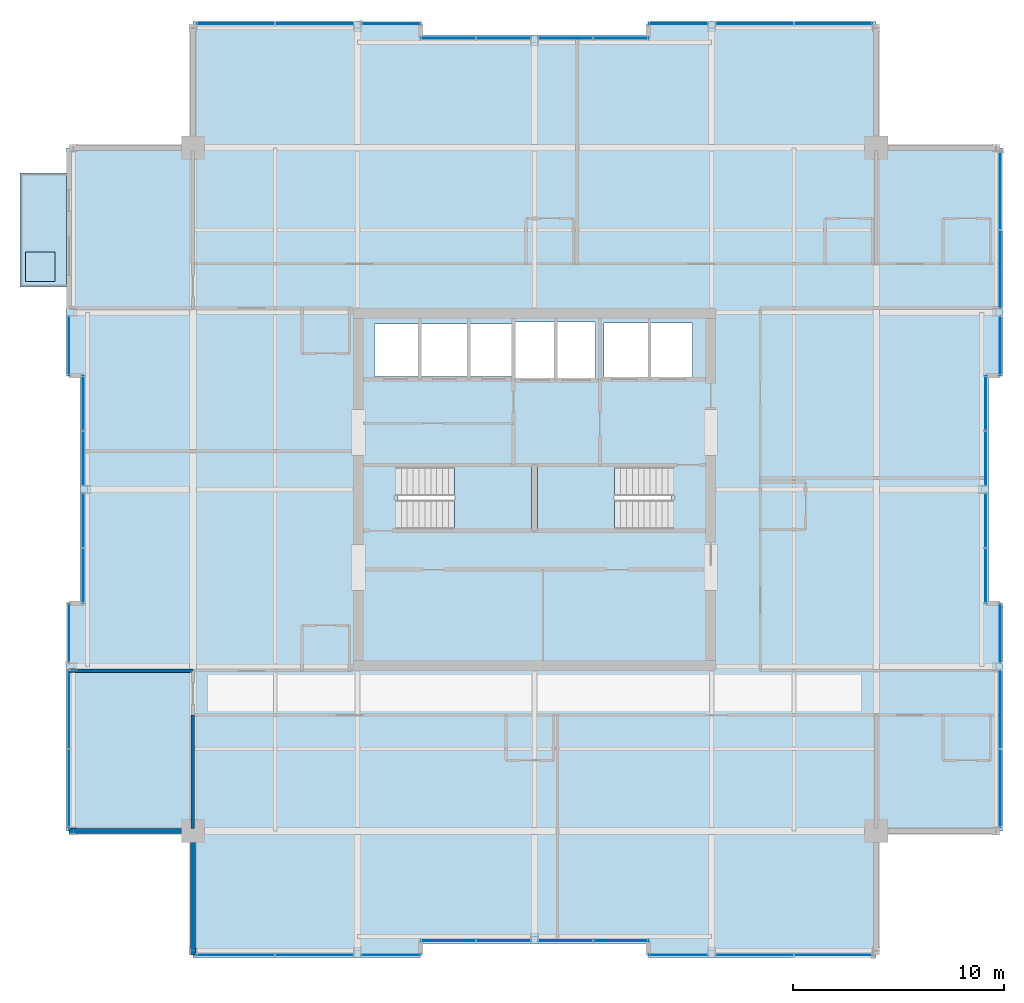
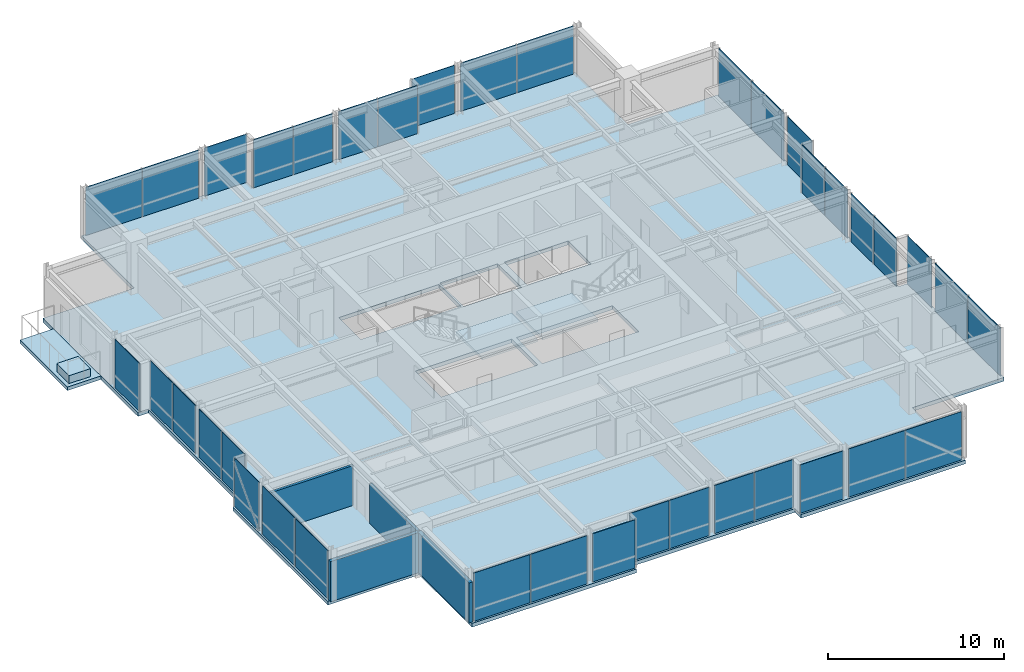
# One storey, part 27 of 33: 38 plates, 5 slabs, 4 walls, 25 elements without a shape of their own.
"""IFC4 building model written with IfcOpenShell, lengths in metres."""

from ifc_helpers import new_model, si_unit, direction, frame, frame_2d, origin, origin_2d, place, context, subcontext, project, spatial, polyline, rectangle, outline, extrude, material, layer, layer_set, type_object, element, aggregate, save


model = new_model("IFC4")

# Units and contexts
model_context = context("Model", 3, precision=1e-05, world=origin(), true_north=direction((0.0, 1.0)))
body_context = subcontext(model_context, "Body", "Model", "MODEL_VIEW")
ifc_project = project(units=[si_unit("LENGTHUNIT", "METRE"), si_unit("AREAUNIT", "SQUARE_METRE"), si_unit("VOLUMEUNIT", "CUBIC_METRE"), si_unit("PLANEANGLEUNIT", "RADIAN"), si_unit("MASSUNIT", "GRAM", prefix="KILO")], contexts=[model_context])

# Site, building, storey
site_placement = place(None, origin())
site = spatial("IfcSite", under=ifc_project, at=site_placement, CompositionType="ELEMENT")
building_placement = place(site_placement, origin())
building = spatial("IfcBuilding", under=site, at=building_placement, Name="Drelvath Grand Hotel", CompositionType="ELEMENT")
storey_placement = place(building_placement, frame((0.0, 0.0, 275.949951171875)))
storey = spatial("IfcBuildingStorey", under=building, at=storey_placement, Name="L72", CompositionType="ELEMENT", Elevation=275.949951171875)

# Slabs
ifc_material_1 = material(Name="Concrete f'c 40 MPa", Category="concrete")
ifc_layer_1 = layer(ifc_material_1, 0.239990234375)
ifc_layer_set_1 = layer_set([ifc_layer_1], Name="Concrete f'c 40 MPa")
slab_type_1 = type_object("IfcSlabType", Name="Cantilevered Tree Balcony Slab 240", PredefinedType="FLOOR", material=ifc_layer_set_1)
slab_1_placement = place(storey_placement, frame((0.0, 0.0, -0.239990234375)))
element("IfcSlab", 1, at=slab_1_placement, inside=storey, type_object=slab_type_1, Name="L72 Cantilevered Tree Balcony Slab 1", PredefinedType="FLOOR", context=body_context, shape_type="SweptSolid", body=[
    extrude(outline(polyline([(-24.39990234375, 36.60009765625), (-22.199951171875, 36.60009765625), (-22.199951171875, 42.0), (-24.39990234375, 42.0), (-24.39990234375, 36.60009765625)])), origin(), (0.0, 0.0, 1.0), 0.239990234375),
])
ifc_layer_2 = layer(ifc_material_1, 0.260009765625)
ifc_layer_set_2 = layer_set([ifc_layer_2], Name="Concrete f'c 40 MPa")
slab_type_2 = type_object("IfcSlabType", Name="Composite RC Floor Slab 260", PredefinedType="FLOOR", material=ifc_layer_set_2)
slab_2_placement = place(storey_placement, frame((0.0, 0.0, -0.260009765625)))
element("IfcSlab", 2, at=slab_2_placement, inside=storey, type_object=slab_type_2, Name="L72 Structural Floor Slab", PredefinedType="FLOOR", context=body_context, shape_type="SweptSolid", body=[
    extrude(outline(polyline([(-16.199951171875, 4.800048828125), (-5.39990234375, 4.800048828125), (-5.39990234375, 5.47998046875), (5.39990234375, 5.47998046875), (5.39990234375, 4.800048828125), (16.199951171875, 4.800048828125), (16.199951171875, 10.800048828125), (22.199951171875, 10.800048828125), (22.199951171875, 21.60009765625), (21.52001953125, 21.60009765625), (21.52001953125, 32.39990234375), (22.199951171875, 32.39990234375), (22.199951171875, 43.199951171875), (16.199951171875, 43.199951171875), (16.199951171875, 49.199951171875), (5.39990234375, 49.199951171875), (5.39990234375, 48.52001953125), (-5.39990234375, 48.52001953125), (-5.39990234375, 49.199951171875), (-16.199951171875, 49.199951171875), (-16.199951171875, 43.199951171875), (-22.199951171875, 43.199951171875), (-22.199951171875, 32.39990234375), (-21.52001953125, 32.39990234375), (-21.52001953125, 21.60009765625), (-22.199951171875, 21.60009765625), (-22.199951171875, 10.800048828125), (-16.199951171875, 10.800048828125), (-16.199951171875, 4.800048828125)]), holes=[polyline([(-6.47998046875, 25.1201171875), (-6.47998046875, 28.080078125), (-0.14990234375, 28.080078125), (-0.14990234375, 25.1201171875), (-6.47998046875, 25.1201171875)]), polyline([(0.14990234375, 25.1201171875), (0.14990234375, 28.080078125), (6.47998046875, 28.080078125), (6.47998046875, 25.1201171875), (0.14990234375, 25.1201171875)]), polyline([(-7.60009765625, 32.35009765625), (-7.60009765625, 34.85009765625), (-1.02001953125, 34.85009765625), (-1.02001953125, 32.35009765625), (-7.60009765625, 32.35009765625)]), polyline([(-0.89990234375, 32.25), (-0.89990234375, 34.949951171875), (2.89990234375, 34.949951171875), (2.89990234375, 32.25), (-0.89990234375, 32.25)]), polyline([(3.300048828125, 32.300048828125), (3.300048828125, 34.89990234375), (7.5, 34.89990234375), (7.5, 32.300048828125), (3.300048828125, 32.300048828125)])]), origin(), (0.0, 0.0, 1.0), 0.260009765625),
])

# Stair, slab
ifc_material_2 = material(Name="Concrete C40/50", Category="concrete")
stair_type = type_object("IfcStairType", Name="Dogleg Exit Stair W1400-R165.9", PredefinedType="HALF_TURN_STAIR", material=ifc_material_2)
stair_1_placement = place(storey_placement, origin())
stair_1 = element("IfcStair", 3, at=stair_1_placement, inside=storey, type_object=stair_type, Name="L72 Core Exit Stair ST-1", PredefinedType="HALF_TURN_STAIR")
ifc_layer_3 = layer(ifc_material_2, 0.199951171875)
ifc_layer_set_3 = layer_set([ifc_layer_3], Name="Concrete C40/50")
slab_type_3 = type_object("IfcSlabType", Name="Concrete Stair Landing Slab 200", PredefinedType="LANDING", material=ifc_layer_set_3)
slab_3_placement = place(storey_placement, frame((0.0, 0.0, 1.625)))
slab_3 = element("IfcSlab", 4, at=slab_3_placement, type_object=slab_type_3, Name="ST-1 landing 1", PredefinedType="LANDING", context=body_context, shape_type="SweptSolid", body=[
    extrude(outline(polyline([(-3.800048828125, 25.1201171875), (-0.14990234375, 25.1201171875), (-0.14990234375, 28.080078125), (-3.800048828125, 28.080078125), (-3.800048828125, 25.1201171875)])), origin(), (0.0, 0.0, 1.0), 0.199951171875),
])
aggregate(stair_1, [slab_3])

stair_2_placement = place(storey_placement, origin())
stair_2 = element("IfcStair", 5, at=stair_2_placement, inside=storey, type_object=stair_type, Name="L72 Core Exit Stair ST-2", PredefinedType="HALF_TURN_STAIR")
slab_4_placement = place(storey_placement, frame((0.0, 0.0, 1.625)))
slab_4 = element("IfcSlab", 6, at=slab_4_placement, type_object=slab_type_3, Name="ST-2 landing 1", PredefinedType="LANDING", context=body_context, shape_type="SweptSolid", body=[
    extrude(outline(polyline([(3.800048828125, 28.080078125), (0.14990234375, 28.080078125), (0.14990234375, 25.1201171875), (3.800048828125, 25.1201171875), (3.800048828125, 28.080078125)])), origin(), (0.0, 0.0, 1.0), 0.199951171875),
])
aggregate(stair_2, [slab_4])

# Curtain wall, plates
ifc_material_3 = material(Name="Platinum-Mist Anodised Aluminium Frame", Category="aluminium")
ifc_layer_4 = layer(ifc_material_3, 0.199951171875)
ifc_layer_set_4 = layer_set([ifc_layer_4], Name="Platinum-Mist Anodised Aluminium Frame")
curtain_wall_type = type_object("IfcCurtainWallType", Name="Stick Curtain Wall CW-05 Platinum Mist High-Rise", PredefinedType="NOTDEFINED", material=ifc_layer_set_4)
curtain_wall_1_placement = place(storey_placement, origin())
curtain_wall_1 = element("IfcCurtainWall", 7, at=curtain_wall_1_placement, inside=storey, type_object=curtain_wall_type, Name="L72 CW-05 Curtain Wall CW05-L72-WS1", PredefinedType="NOTDEFINED")
ifc_material_4 = material(Name="Low-E Triple Silver High-Altitude Glass", Category="glass")
ifc_layer_5 = layer(ifc_material_4, 0.035888671875)
ifc_layer_set_5 = layer_set([ifc_layer_5], Name="Low-E Triple Silver High-Altitude Glass")
plate_type = type_object("IfcPlateType", Name="Curtain Wall Vision Panel CW-05 36mm", PredefinedType="CURTAIN_PANEL", material=ifc_layer_set_5)
plate_1_placement = place(storey_placement, frame((-22.080078125, 12.835205078125, 0.02001953125), z_axis=(0.0, 0.0, 1.0), x_axis=(0.0, 1.0, 0.0)))
plate_1 = element("IfcPlate", 8, at=plate_1_placement, type_object=plate_type, Name="CW05-L72-WS1 Glazed Panel 1", PredefinedType="CURTAIN_PANEL", context=body_context, shape_type="SweptSolid", body=[
    extrude(rectangle(XDim=3.68994140625, YDim=0.035888671875, at=origin_2d()), origin(), (0.0, 0.0, 1.0), 3.35009765625),
])
plate_2_placement = place(storey_placement, frame((-22.080078125, 16.56494140625, 0.02001953125), z_axis=(0.0, 0.0, 1.0), x_axis=(0.0, 1.0, 0.0)))
plate_2 = element("IfcPlate", 9, at=plate_2_placement, type_object=plate_type, Name="CW05-L72-WS1 Glazed Panel 2", PredefinedType="CURTAIN_PANEL", context=body_context, shape_type="SweptSolid", body=[
    extrude(rectangle(XDim=3.68994140625, YDim=0.035888671875, at=origin_2d()), origin(), (0.0, 0.0, 1.0), 3.35009765625),
])
aggregate(curtain_wall_1, [plate_1, plate_2])

# Curtain wall, plate
curtain_wall_2_placement = place(storey_placement, origin())
curtain_wall_2 = element("IfcCurtainWall", 10, at=curtain_wall_2_placement, inside=storey, type_object=curtain_wall_type, Name="L72 CW-05 Curtain Wall CW05-L72-WS2", PredefinedType="NOTDEFINED")
plate_3_placement = place(storey_placement, frame((-22.080078125, 20.18505859375, 0.02001953125), z_axis=(0.0, 0.0, 1.0), x_axis=(0.0, 1.0, 0.0)))
plate_3 = element("IfcPlate", 11, at=plate_3_placement, type_object=plate_type, Name="CW05-L72-WS2 Glazed Panel 1", PredefinedType="CURTAIN_PANEL", context=body_context, shape_type="SweptSolid", body=[
    extrude(rectangle(XDim=2.789794921875, YDim=0.035888671875, at=origin_2d()), origin(), (0.0, 0.0, 1.0), 3.35009765625),
])
aggregate(curtain_wall_2, [plate_3])

# Curtain wall, plates
curtain_wall_3_placement = place(storey_placement, origin())
curtain_wall_3 = element("IfcCurtainWall", 12, at=curtain_wall_3_placement, inside=storey, type_object=curtain_wall_type, Name="L72 CW-05 Curtain Wall CW05-L72-WM1", PredefinedType="NOTDEFINED")
plate_4_placement = place(storey_placement, frame((-21.39990234375, 22.907470703125, 0.02001953125), z_axis=(0.0, 0.0, 1.0), x_axis=(0.0, 1.0, 0.0)))
plate_4 = element("IfcPlate", 13, at=plate_4_placement, type_object=plate_type, Name="CW05-L72-WM1 Glazed Panel 1", PredefinedType="CURTAIN_PANEL", context=body_context, shape_type="SweptSolid", body=[
    extrude(rectangle(XDim=2.574951171875, YDim=0.035888671875, at=origin_2d()), origin(), (0.0, 0.0, 1.0), 3.35009765625),
])
plate_5_placement = place(storey_placement, frame((-21.39990234375, 25.5224609375, 0.02001953125), z_axis=(0.0, 0.0, 1.0), x_axis=(0.0, 1.0, 0.0)))
plate_5 = element("IfcPlate", 14, at=plate_5_placement, type_object=plate_type, Name="CW05-L72-WM1 Glazed Panel 2", PredefinedType="CURTAIN_PANEL", context=body_context, shape_type="SweptSolid", body=[
    extrude(rectangle(XDim=2.574951171875, YDim=0.035888671875, at=origin_2d()), origin(), (0.0, 0.0, 1.0), 3.35009765625),
])
aggregate(curtain_wall_3, [plate_4, plate_5])

curtain_wall_4_placement = place(storey_placement, origin())
curtain_wall_4 = element("IfcCurtainWall", 15, at=curtain_wall_4_placement, inside=storey, type_object=curtain_wall_type, Name="L72 CW-05 Curtain Wall CW05-L72-WM2", PredefinedType="NOTDEFINED")
plate_6_placement = place(storey_placement, frame((-21.39990234375, 28.4775390625, 0.02001953125), z_axis=(0.0, 0.0, 1.0), x_axis=(0.0, 1.0, 0.0)))
plate_6 = element("IfcPlate", 16, at=plate_6_placement, type_object=plate_type, Name="CW05-L72-WM2 Glazed Panel 1", PredefinedType="CURTAIN_PANEL", context=body_context, shape_type="SweptSolid", body=[
    extrude(rectangle(XDim=2.574951171875, YDim=0.035888671875, at=origin_2d()), origin(), (0.0, 0.0, 1.0), 3.35009765625),
])
plate_7_placement = place(storey_placement, frame((-21.39990234375, 31.092529296875, 0.02001953125), z_axis=(0.0, 0.0, 1.0), x_axis=(0.0, 1.0, 0.0)))
plate_7 = element("IfcPlate", 17, at=plate_7_placement, type_object=plate_type, Name="CW05-L72-WM2 Glazed Panel 2", PredefinedType="CURTAIN_PANEL", context=body_context, shape_type="SweptSolid", body=[
    extrude(rectangle(XDim=2.574951171875, YDim=0.035888671875, at=origin_2d()), origin(), (0.0, 0.0, 1.0), 3.35009765625),
])
aggregate(curtain_wall_4, [plate_6, plate_7])

# Curtain wall, plate
curtain_wall_5_placement = place(storey_placement, origin())
curtain_wall_5 = element("IfcCurtainWall", 18, at=curtain_wall_5_placement, inside=storey, type_object=curtain_wall_type, Name="L72 CW-05 Curtain Wall CW05-L72-WN1", PredefinedType="NOTDEFINED")
plate_8_placement = place(storey_placement, frame((-22.080078125, 33.81494140625, 0.02001953125), z_axis=(0.0, 0.0, 1.0), x_axis=(0.0, 1.0, 0.0)))
plate_8 = element("IfcPlate", 19, at=plate_8_placement, type_object=plate_type, Name="CW05-L72-WN1 Glazed Panel 1", PredefinedType="CURTAIN_PANEL", context=body_context, shape_type="SweptSolid", body=[
    extrude(rectangle(XDim=2.7900390625, YDim=0.035888671875, at=origin_2d()), origin(), (0.0, 0.0, 1.0), 3.35009765625),
])
aggregate(curtain_wall_5, [plate_8])

curtain_wall_6_placement = place(storey_placement, origin())
curtain_wall_6 = element("IfcCurtainWall", 20, at=curtain_wall_6_placement, inside=storey, type_object=curtain_wall_type, Name="L72 CW-05 Curtain Wall CW05-L72-EN1", PredefinedType="NOTDEFINED")
plate_9_placement = place(storey_placement, frame((22.080078125, 33.81494140625, 0.02001953125), z_axis=(0.0, 0.0, 1.0), x_axis=(0.0, -1.0, 0.0)))
plate_9 = element("IfcPlate", 21, at=plate_9_placement, type_object=plate_type, Name="CW05-L72-EN1 Glazed Panel 1", PredefinedType="CURTAIN_PANEL", context=body_context, shape_type="SweptSolid", body=[
    extrude(rectangle(XDim=2.7900390625, YDim=0.035888671875, at=origin_2d()), origin(), (0.0, 0.0, 1.0), 3.35009765625),
])
aggregate(curtain_wall_6, [plate_9])

# Curtain wall, plates
curtain_wall_7_placement = place(storey_placement, origin())
curtain_wall_7 = element("IfcCurtainWall", 22, at=curtain_wall_7_placement, inside=storey, type_object=curtain_wall_type, Name="L72 CW-05 Curtain Wall CW05-L72-EN2", PredefinedType="NOTDEFINED")
plate_10_placement = place(storey_placement, frame((22.080078125, 41.1650390625, 0.02001953125), z_axis=(0.0, 0.0, 1.0), x_axis=(0.0, -1.0, 0.0)))
plate_10 = element("IfcPlate", 23, at=plate_10_placement, type_object=plate_type, Name="CW05-L72-EN2 Glazed Panel 1", PredefinedType="CURTAIN_PANEL", context=body_context, shape_type="SweptSolid", body=[
    extrude(rectangle(XDim=3.68994140625, YDim=0.035888671875, at=origin_2d()), origin(), (0.0, 0.0, 1.0), 3.35009765625),
])
plate_11_placement = place(storey_placement, frame((22.080078125, 37.43505859375, 0.02001953125), z_axis=(0.0, 0.0, 1.0), x_axis=(0.0, -1.0, 0.0)))
plate_11 = element("IfcPlate", 24, at=plate_11_placement, type_object=plate_type, Name="CW05-L72-EN2 Glazed Panel 2", PredefinedType="CURTAIN_PANEL", context=body_context, shape_type="SweptSolid", body=[
    extrude(rectangle(XDim=3.68994140625, YDim=0.035888671875, at=origin_2d()), origin(), (0.0, 0.0, 1.0), 3.35009765625),
])
aggregate(curtain_wall_7, [plate_10, plate_11])

curtain_wall_8_placement = place(storey_placement, origin())
curtain_wall_8 = element("IfcCurtainWall", 25, at=curtain_wall_8_placement, inside=storey, type_object=curtain_wall_type, Name="L72 CW-05 Curtain Wall CW05-L72-EM1", PredefinedType="NOTDEFINED")
plate_12_placement = place(storey_placement, frame((21.39990234375, 25.5224609375, 0.02001953125), z_axis=(0.0, 0.0, 1.0), x_axis=(0.0, -1.0, 0.0)))
plate_12 = element("IfcPlate", 26, at=plate_12_placement, type_object=plate_type, Name="CW05-L72-EM1 Glazed Panel 1", PredefinedType="CURTAIN_PANEL", context=body_context, shape_type="SweptSolid", body=[
    extrude(rectangle(XDim=2.574951171875, YDim=0.035888671875, at=origin_2d()), origin(), (0.0, 0.0, 1.0), 3.35009765625),
])
plate_13_placement = place(storey_placement, frame((21.39990234375, 22.907470703125, 0.02001953125), z_axis=(0.0, 0.0, 1.0), x_axis=(0.0, -1.0, 0.0)))
plate_13 = element("IfcPlate", 27, at=plate_13_placement, type_object=plate_type, Name="CW05-L72-EM1 Glazed Panel 2", PredefinedType="CURTAIN_PANEL", context=body_context, shape_type="SweptSolid", body=[
    extrude(rectangle(XDim=2.574951171875, YDim=0.035888671875, at=origin_2d()), origin(), (0.0, 0.0, 1.0), 3.35009765625),
])
aggregate(curtain_wall_8, [plate_12, plate_13])

curtain_wall_9_placement = place(storey_placement, origin())
curtain_wall_9 = element("IfcCurtainWall", 28, at=curtain_wall_9_placement, inside=storey, type_object=curtain_wall_type, Name="L72 CW-05 Curtain Wall CW05-L72-EM2", PredefinedType="NOTDEFINED")
plate_14_placement = place(storey_placement, frame((21.39990234375, 31.092529296875, 0.02001953125), z_axis=(0.0, 0.0, 1.0), x_axis=(0.0, -1.0, 0.0)))
plate_14 = element("IfcPlate", 29, at=plate_14_placement, type_object=plate_type, Name="CW05-L72-EM2 Glazed Panel 1", PredefinedType="CURTAIN_PANEL", context=body_context, shape_type="SweptSolid", body=[
    extrude(rectangle(XDim=2.574951171875, YDim=0.035888671875, at=origin_2d()), origin(), (0.0, 0.0, 1.0), 3.35009765625),
])
plate_15_placement = place(storey_placement, frame((21.39990234375, 28.4775390625, 0.02001953125), z_axis=(0.0, 0.0, 1.0), x_axis=(0.0, -1.0, 0.0)))
plate_15 = element("IfcPlate", 30, at=plate_15_placement, type_object=plate_type, Name="CW05-L72-EM2 Glazed Panel 2", PredefinedType="CURTAIN_PANEL", context=body_context, shape_type="SweptSolid", body=[
    extrude(rectangle(XDim=2.574951171875, YDim=0.035888671875, at=origin_2d()), origin(), (0.0, 0.0, 1.0), 3.35009765625),
])
aggregate(curtain_wall_9, [plate_14, plate_15])

curtain_wall_10_placement = place(storey_placement, origin())
curtain_wall_10 = element("IfcCurtainWall", 31, at=curtain_wall_10_placement, inside=storey, type_object=curtain_wall_type, Name="L72 CW-05 Curtain Wall CW05-L72-ES1", PredefinedType="NOTDEFINED")
plate_16_placement = place(storey_placement, frame((22.080078125, 16.56494140625, 0.02001953125), z_axis=(0.0, 0.0, 1.0), x_axis=(0.0, -1.0, 0.0)))
plate_16 = element("IfcPlate", 32, at=plate_16_placement, type_object=plate_type, Name="CW05-L72-ES1 Glazed Panel 1", PredefinedType="CURTAIN_PANEL", context=body_context, shape_type="SweptSolid", body=[
    extrude(rectangle(XDim=3.68994140625, YDim=0.035888671875, at=origin_2d()), origin(), (0.0, 0.0, 1.0), 3.35009765625),
])
plate_17_placement = place(storey_placement, frame((22.080078125, 12.835205078125, 0.02001953125), z_axis=(0.0, 0.0, 1.0), x_axis=(0.0, -1.0, 0.0)))
plate_17 = element("IfcPlate", 33, at=plate_17_placement, type_object=plate_type, Name="CW05-L72-ES1 Glazed Panel 2", PredefinedType="CURTAIN_PANEL", context=body_context, shape_type="SweptSolid", body=[
    extrude(rectangle(XDim=3.68994140625, YDim=0.035888671875, at=origin_2d()), origin(), (0.0, 0.0, 1.0), 3.35009765625),
])
aggregate(curtain_wall_10, [plate_16, plate_17])

# Curtain wall, plate
curtain_wall_11_placement = place(storey_placement, origin())
curtain_wall_11 = element("IfcCurtainWall", 34, at=curtain_wall_11_placement, inside=storey, type_object=curtain_wall_type, Name="L72 CW-05 Curtain Wall CW05-L72-ES2", PredefinedType="NOTDEFINED")
plate_18_placement = place(storey_placement, frame((22.080078125, 20.18505859375, 0.02001953125), z_axis=(0.0, 0.0, 1.0), x_axis=(0.0, -1.0, 0.0)))
plate_18 = element("IfcPlate", 35, at=plate_18_placement, type_object=plate_type, Name="CW05-L72-ES2 Glazed Panel 1", PredefinedType="CURTAIN_PANEL", context=body_context, shape_type="SweptSolid", body=[
    extrude(rectangle(XDim=2.789794921875, YDim=0.035888671875, at=origin_2d()), origin(), (0.0, 0.0, 1.0), 3.35009765625),
])
aggregate(curtain_wall_11, [plate_18])

# Curtain wall, plates
curtain_wall_12_placement = place(storey_placement, origin())
curtain_wall_12 = element("IfcCurtainWall", 36, at=curtain_wall_12_placement, inside=storey, type_object=curtain_wall_type, Name="L72 CW-05 Curtain Wall CW05-L72-NW1", PredefinedType="NOTDEFINED")
plate_19_placement = place(storey_placement, frame((-14.1650390625, 49.080078125, 0.02001953125), z_axis=(0.0, 0.0, 1.0), x_axis=(1.0, 0.0, 0.0)))
plate_19 = element("IfcPlate", 37, at=plate_19_placement, type_object=plate_type, Name="CW05-L72-NW1 Glazed Panel 1", PredefinedType="CURTAIN_PANEL", context=body_context, shape_type="SweptSolid", body=[
    extrude(rectangle(XDim=3.68994140625, YDim=0.035888671875, at=origin_2d()), origin(), (0.0, 0.0, 1.0), 3.35009765625),
])
plate_20_placement = place(storey_placement, frame((-10.43505859375, 49.080078125, 0.02001953125), z_axis=(0.0, 0.0, 1.0), x_axis=(1.0, 0.0, 0.0)))
plate_20 = element("IfcPlate", 38, at=plate_20_placement, type_object=plate_type, Name="CW05-L72-NW1 Glazed Panel 2", PredefinedType="CURTAIN_PANEL", context=body_context, shape_type="SweptSolid", body=[
    extrude(rectangle(XDim=3.68994140625, YDim=0.035888671875, at=origin_2d()), origin(), (0.0, 0.0, 1.0), 3.35009765625),
])
aggregate(curtain_wall_12, [plate_19, plate_20])

# Curtain wall, plate
curtain_wall_13_placement = place(storey_placement, origin())
curtain_wall_13 = element("IfcCurtainWall", 39, at=curtain_wall_13_placement, inside=storey, type_object=curtain_wall_type, Name="L72 CW-05 Curtain Wall CW05-L72-NW2", PredefinedType="NOTDEFINED")
plate_21_placement = place(storey_placement, frame((-6.81494140625, 49.080078125, 0.02001953125), z_axis=(0.0, 0.0, 1.0), x_axis=(1.0, 0.0, 0.0)))
plate_21 = element("IfcPlate", 40, at=plate_21_placement, type_object=plate_type, Name="CW05-L72-NW2 Glazed Panel 1", PredefinedType="CURTAIN_PANEL", context=body_context, shape_type="SweptSolid", body=[
    extrude(rectangle(XDim=2.789794921875, YDim=0.035888671875, at=origin_2d()), origin(), (0.0, 0.0, 1.0), 3.35009765625),
])
aggregate(curtain_wall_13, [plate_21])

# Curtain wall, plates
curtain_wall_14_placement = place(storey_placement, origin())
curtain_wall_14 = element("IfcCurtainWall", 41, at=curtain_wall_14_placement, inside=storey, type_object=curtain_wall_type, Name="L72 CW-05 Curtain Wall CW05-L72-NM1", PredefinedType="NOTDEFINED")
plate_22_placement = place(storey_placement, frame((-4.092529296875, 48.39990234375, 0.02001953125), z_axis=(0.0, 0.0, 1.0), x_axis=(1.0, 0.0, 0.0)))
plate_22 = element("IfcPlate", 42, at=plate_22_placement, type_object=plate_type, Name="CW05-L72-NM1 Glazed Panel 1", PredefinedType="CURTAIN_PANEL", context=body_context, shape_type="SweptSolid", body=[
    extrude(rectangle(XDim=2.574951171875, YDim=0.035888671875, at=origin_2d()), origin(), (0.0, 0.0, 1.0), 3.35009765625),
])
plate_23_placement = place(storey_placement, frame((-1.4775390625, 48.39990234375, 0.02001953125), z_axis=(0.0, 0.0, 1.0), x_axis=(1.0, 0.0, 0.0)))
plate_23 = element("IfcPlate", 43, at=plate_23_placement, type_object=plate_type, Name="CW05-L72-NM1 Glazed Panel 2", PredefinedType="CURTAIN_PANEL", context=body_context, shape_type="SweptSolid", body=[
    extrude(rectangle(XDim=2.574951171875, YDim=0.035888671875, at=origin_2d()), origin(), (0.0, 0.0, 1.0), 3.35009765625),
])
aggregate(curtain_wall_14, [plate_22, plate_23])

curtain_wall_15_placement = place(storey_placement, origin())
curtain_wall_15 = element("IfcCurtainWall", 44, at=curtain_wall_15_placement, inside=storey, type_object=curtain_wall_type, Name="L72 CW-05 Curtain Wall CW05-L72-NM2", PredefinedType="NOTDEFINED")
plate_24_placement = place(storey_placement, frame((1.4775390625, 48.39990234375, 0.02001953125), z_axis=(0.0, 0.0, 1.0), x_axis=(1.0, 0.0, 0.0)))
plate_24 = element("IfcPlate", 45, at=plate_24_placement, type_object=plate_type, Name="CW05-L72-NM2 Glazed Panel 1", PredefinedType="CURTAIN_PANEL", context=body_context, shape_type="SweptSolid", body=[
    extrude(rectangle(XDim=2.574951171875, YDim=0.035888671875, at=origin_2d()), origin(), (0.0, 0.0, 1.0), 3.35009765625),
])
plate_25_placement = place(storey_placement, frame((4.092529296875, 48.39990234375, 0.02001953125), z_axis=(0.0, 0.0, 1.0), x_axis=(1.0, 0.0, 0.0)))
plate_25 = element("IfcPlate", 46, at=plate_25_placement, type_object=plate_type, Name="CW05-L72-NM2 Glazed Panel 2", PredefinedType="CURTAIN_PANEL", context=body_context, shape_type="SweptSolid", body=[
    extrude(rectangle(XDim=2.574951171875, YDim=0.035888671875, at=origin_2d()), origin(), (0.0, 0.0, 1.0), 3.35009765625),
])
aggregate(curtain_wall_15, [plate_24, plate_25])

# Curtain wall, plate
curtain_wall_16_placement = place(storey_placement, origin())
curtain_wall_16 = element("IfcCurtainWall", 47, at=curtain_wall_16_placement, inside=storey, type_object=curtain_wall_type, Name="L72 CW-05 Curtain Wall CW05-L72-NE1", PredefinedType="NOTDEFINED")
plate_26_placement = place(storey_placement, frame((6.81494140625, 49.080078125, 0.02001953125), z_axis=(0.0, 0.0, 1.0), x_axis=(1.0, 0.0, 0.0)))
plate_26 = element("IfcPlate", 48, at=plate_26_placement, type_object=plate_type, Name="CW05-L72-NE1 Glazed Panel 1", PredefinedType="CURTAIN_PANEL", context=body_context, shape_type="SweptSolid", body=[
    extrude(rectangle(XDim=2.789794921875, YDim=0.035888671875, at=origin_2d()), origin(), (0.0, 0.0, 1.0), 3.35009765625),
])
aggregate(curtain_wall_16, [plate_26])

# Curtain wall, plates
curtain_wall_17_placement = place(storey_placement, origin())
curtain_wall_17 = element("IfcCurtainWall", 49, at=curtain_wall_17_placement, inside=storey, type_object=curtain_wall_type, Name="L72 CW-05 Curtain Wall CW05-L72-NE2", PredefinedType="NOTDEFINED")
plate_27_placement = place(storey_placement, frame((10.43505859375, 49.080078125, 0.02001953125), z_axis=(0.0, 0.0, 1.0), x_axis=(1.0, 0.0, 0.0)))
plate_27 = element("IfcPlate", 50, at=plate_27_placement, type_object=plate_type, Name="CW05-L72-NE2 Glazed Panel 1", PredefinedType="CURTAIN_PANEL", context=body_context, shape_type="SweptSolid", body=[
    extrude(rectangle(XDim=3.68994140625, YDim=0.035888671875, at=origin_2d()), origin(), (0.0, 0.0, 1.0), 3.35009765625),
])
plate_28_placement = place(storey_placement, frame((14.1650390625, 49.080078125, 0.02001953125), z_axis=(0.0, 0.0, 1.0), x_axis=(1.0, 0.0, 0.0)))
plate_28 = element("IfcPlate", 51, at=plate_28_placement, type_object=plate_type, Name="CW05-L72-NE2 Glazed Panel 2", PredefinedType="CURTAIN_PANEL", context=body_context, shape_type="SweptSolid", body=[
    extrude(rectangle(XDim=3.68994140625, YDim=0.035888671875, at=origin_2d()), origin(), (0.0, 0.0, 1.0), 3.35009765625),
])
aggregate(curtain_wall_17, [plate_27, plate_28])

# Curtain wall, plate
curtain_wall_18_placement = place(storey_placement, origin())
curtain_wall_18 = element("IfcCurtainWall", 52, at=curtain_wall_18_placement, inside=storey, type_object=curtain_wall_type, Name="L72 CW-05 Curtain Wall CW05-L72-SE1", PredefinedType="NOTDEFINED")
plate_29_placement = place(storey_placement, frame((6.81494140625, 4.919921875, 0.02001953125), z_axis=(0.0, 0.0, 1.0), x_axis=(-1.0, 0.0, 0.0)))
plate_29 = element("IfcPlate", 53, at=plate_29_placement, type_object=plate_type, Name="CW05-L72-SE1 Glazed Panel 1", PredefinedType="CURTAIN_PANEL", context=body_context, shape_type="SweptSolid", body=[
    extrude(rectangle(XDim=2.789794921875, YDim=0.035888671875, at=origin_2d()), origin(), (0.0, 0.0, 1.0), 3.35009765625),
])
aggregate(curtain_wall_18, [plate_29])

# Curtain wall, plates
curtain_wall_19_placement = place(storey_placement, origin())
curtain_wall_19 = element("IfcCurtainWall", 54, at=curtain_wall_19_placement, inside=storey, type_object=curtain_wall_type, Name="L72 CW-05 Curtain Wall CW05-L72-SE2", PredefinedType="NOTDEFINED")
plate_30_placement = place(storey_placement, frame((14.1650390625, 4.919921875, 0.02001953125), z_axis=(0.0, 0.0, 1.0), x_axis=(-1.0, 0.0, 0.0)))
plate_30 = element("IfcPlate", 55, at=plate_30_placement, type_object=plate_type, Name="CW05-L72-SE2 Glazed Panel 1", PredefinedType="CURTAIN_PANEL", context=body_context, shape_type="SweptSolid", body=[
    extrude(rectangle(XDim=3.68994140625, YDim=0.035888671875, at=origin_2d()), origin(), (0.0, 0.0, 1.0), 3.35009765625),
])
plate_31_placement = place(storey_placement, frame((10.43505859375, 4.919921875, 0.02001953125), z_axis=(0.0, 0.0, 1.0), x_axis=(-1.0, 0.0, 0.0)))
plate_31 = element("IfcPlate", 56, at=plate_31_placement, type_object=plate_type, Name="CW05-L72-SE2 Glazed Panel 2", PredefinedType="CURTAIN_PANEL", context=body_context, shape_type="SweptSolid", body=[
    extrude(rectangle(XDim=3.68994140625, YDim=0.035888671875, at=origin_2d()), origin(), (0.0, 0.0, 1.0), 3.35009765625),
])
aggregate(curtain_wall_19, [plate_30, plate_31])

curtain_wall_20_placement = place(storey_placement, origin())
curtain_wall_20 = element("IfcCurtainWall", 57, at=curtain_wall_20_placement, inside=storey, type_object=curtain_wall_type, Name="L72 CW-05 Curtain Wall CW05-L72-SM1", PredefinedType="NOTDEFINED")
plate_32_placement = place(storey_placement, frame((-1.4775390625, 5.60009765625, 0.02001953125), z_axis=(0.0, 0.0, 1.0), x_axis=(-1.0, 0.0, 0.0)))
plate_32 = element("IfcPlate", 58, at=plate_32_placement, type_object=plate_type, Name="CW05-L72-SM1 Glazed Panel 1", PredefinedType="CURTAIN_PANEL", context=body_context, shape_type="SweptSolid", body=[
    extrude(rectangle(XDim=2.574951171875, YDim=0.035888671875, at=origin_2d()), origin(), (0.0, 0.0, 1.0), 3.35009765625),
])
plate_33_placement = place(storey_placement, frame((-4.092529296875, 5.60009765625, 0.02001953125), z_axis=(0.0, 0.0, 1.0), x_axis=(-1.0, 0.0, 0.0)))
plate_33 = element("IfcPlate", 59, at=plate_33_placement, type_object=plate_type, Name="CW05-L72-SM1 Glazed Panel 2", PredefinedType="CURTAIN_PANEL", context=body_context, shape_type="SweptSolid", body=[
    extrude(rectangle(XDim=2.574951171875, YDim=0.035888671875, at=origin_2d()), origin(), (0.0, 0.0, 1.0), 3.35009765625),
])
aggregate(curtain_wall_20, [plate_32, plate_33])

curtain_wall_21_placement = place(storey_placement, origin())
curtain_wall_21 = element("IfcCurtainWall", 60, at=curtain_wall_21_placement, inside=storey, type_object=curtain_wall_type, Name="L72 CW-05 Curtain Wall CW05-L72-SM2", PredefinedType="NOTDEFINED")
plate_34_placement = place(storey_placement, frame((4.092529296875, 5.60009765625, 0.02001953125), z_axis=(0.0, 0.0, 1.0), x_axis=(-1.0, 0.0, 0.0)))
plate_34 = element("IfcPlate", 61, at=plate_34_placement, type_object=plate_type, Name="CW05-L72-SM2 Glazed Panel 1", PredefinedType="CURTAIN_PANEL", context=body_context, shape_type="SweptSolid", body=[
    extrude(rectangle(XDim=2.574951171875, YDim=0.035888671875, at=origin_2d()), origin(), (0.0, 0.0, 1.0), 3.35009765625),
])
plate_35_placement = place(storey_placement, frame((1.4775390625, 5.60009765625, 0.02001953125), z_axis=(0.0, 0.0, 1.0), x_axis=(-1.0, 0.0, 0.0)))
plate_35 = element("IfcPlate", 62, at=plate_35_placement, type_object=plate_type, Name="CW05-L72-SM2 Glazed Panel 2", PredefinedType="CURTAIN_PANEL", context=body_context, shape_type="SweptSolid", body=[
    extrude(rectangle(XDim=2.574951171875, YDim=0.035888671875, at=origin_2d()), origin(), (0.0, 0.0, 1.0), 3.35009765625),
])
aggregate(curtain_wall_21, [plate_34, plate_35])

curtain_wall_22_placement = place(storey_placement, origin())
curtain_wall_22 = element("IfcCurtainWall", 63, at=curtain_wall_22_placement, inside=storey, type_object=curtain_wall_type, Name="L72 CW-05 Curtain Wall CW05-L72-SW1", PredefinedType="NOTDEFINED")
plate_36_placement = place(storey_placement, frame((-10.43505859375, 4.919921875, 0.02001953125), z_axis=(0.0, 0.0, 1.0), x_axis=(-1.0, 0.0, 0.0)))
plate_36 = element("IfcPlate", 64, at=plate_36_placement, type_object=plate_type, Name="CW05-L72-SW1 Glazed Panel 1", PredefinedType="CURTAIN_PANEL", context=body_context, shape_type="SweptSolid", body=[
    extrude(rectangle(XDim=3.68994140625, YDim=0.035888671875, at=origin_2d()), origin(), (0.0, 0.0, 1.0), 3.35009765625),
])
plate_37_placement = place(storey_placement, frame((-14.1650390625, 4.919921875, 0.02001953125), z_axis=(0.0, 0.0, 1.0), x_axis=(-1.0, 0.0, 0.0)))
plate_37 = element("IfcPlate", 65, at=plate_37_placement, type_object=plate_type, Name="CW05-L72-SW1 Glazed Panel 2", PredefinedType="CURTAIN_PANEL", context=body_context, shape_type="SweptSolid", body=[
    extrude(rectangle(XDim=3.68994140625, YDim=0.035888671875, at=origin_2d()), origin(), (0.0, 0.0, 1.0), 3.35009765625),
])
aggregate(curtain_wall_22, [plate_36, plate_37])

# Curtain wall, plate
curtain_wall_23_placement = place(storey_placement, origin())
curtain_wall_23 = element("IfcCurtainWall", 66, at=curtain_wall_23_placement, inside=storey, type_object=curtain_wall_type, Name="L72 CW-05 Curtain Wall CW05-L72-SW2", PredefinedType="NOTDEFINED")
plate_38_placement = place(storey_placement, frame((-6.81494140625, 4.919921875, 0.02001953125), z_axis=(0.0, 0.0, 1.0), x_axis=(-1.0, 0.0, 0.0)))
plate_38 = element("IfcPlate", 67, at=plate_38_placement, type_object=plate_type, Name="CW05-L72-SW2 Glazed Panel 1", PredefinedType="CURTAIN_PANEL", context=body_context, shape_type="SweptSolid", body=[
    extrude(rectangle(XDim=2.789794921875, YDim=0.035888671875, at=origin_2d()), origin(), (0.0, 0.0, 1.0), 3.35009765625),
])
aggregate(curtain_wall_23, [plate_38])

# Slab
ifc_layer_6 = layer(ifc_material_1, 0.550048828125)
ifc_layer_set_6 = layer_set([ifc_layer_6], Name="Concrete f'c 40 MPa")
slab_type_4 = type_object("IfcSlabType", Name="Structural Tree Planter Box 550", PredefinedType="USERDEFINED", material=ifc_layer_set_6)
slab_5_placement = place(storey_placement, origin())
element("IfcSlab", 68, at=slab_5_placement, inside=storey, type_object=slab_type_4, Name="L72 Tree Balcony Structural Planter 1", ObjectType="PLANTER", PredefinedType="USERDEFINED", context=body_context, shape_type="SweptSolid", body=[
    extrude(outline(polyline([(-24.14990234375, 36.85009765625), (-22.75, 36.85009765625), (-22.75, 38.25), (-24.14990234375, 38.25), (-24.14990234375, 36.85009765625)])), origin(), (0.0, 0.0, 1.0), 0.550048828125),
])

# Walls
ifc_material_5 = material(Name="Gypsum Acoustic Partition")
ifc_layer_7 = layer(ifc_material_5, 0.1650390625)
ifc_layer_set_7 = layer_set([ifc_layer_7], Name="Gypsum Acoustic Partition")
wall_type_1 = type_object("IfcWallType", Name="Suite Demising Wall 165", PredefinedType="PARTITIONING", material=ifc_layer_set_7)
wall_1_placement = place(storey_placement, frame((-16.199951171875, 10.919921875, 0.0), z_axis=(0.0, 0.0, 1.0), x_axis=(0.0, 1.0, 0.0)))
element("IfcWall", 69, at=wall_1_placement, inside=storey, type_object=wall_type_1, Name="L72 SW Suite Wall", PredefinedType="PARTITIONING", context=body_context, shape_type="SweptSolid", body=[
    extrude(rectangle(XDim=5.380126953125, YDim=0.1650390625, at=frame_2d((2.68994140625, 0.0))), origin(), (0.0, 0.0, 1.0), 2.763916015625),
])
wall_2_placement = place(storey_placement, frame((-22.080078125, 18.39990234375, 0.0), z_axis=(0.0, 0.0, 1.0), x_axis=(1.0, 0.0, 0.0)))
element("IfcWall", 70, at=wall_2_placement, inside=storey, type_object=wall_type_1, Name="L72 SW Corner North Wall", PredefinedType="PARTITIONING", context=body_context, shape_type="SweptSolid", body=[
    extrude(rectangle(XDim=5.880126953125, YDim=0.1650390625, at=frame_2d((2.93994140625, 0.0))), origin(), (0.0, 0.0, 1.0), 2.763916015625),
])
ifc_material_6 = material(Name="Pale-Metal Insulated Aluminium Spandrel Assembly", Category="aluminium")
ifc_layer_8 = layer(ifc_material_6, 0.239990234375)
ifc_layer_set_8 = layer_set([ifc_layer_8], Name="Pale-Metal Insulated Aluminium Spandrel Assembly")
wall_type_2 = type_object("IfcWallType", Name="Tower Insulated Metal Spandrel Closure Wall 240", PredefinedType="STANDARD", material=ifc_layer_set_8)
for number, where, z_axis, x_axis, name in (
    (71, (-16.199951171875, 4.919921875, 0.0), (0.0, 0.0, 1.0), (0.0, 1.0, 0.0), "L72 Notched Corner Return Spandrel Wall CSW1"),
    (72, (-16.199951171875, 10.800048828125, 0.0), (0.0, 0.0, 1.0), (-1.0, 0.0, 0.0), "L72 Notched Corner Return Spandrel Wall CSW2"),
):
    element("IfcWall", number, at=place(storey_placement, frame(where, z_axis=z_axis, x_axis=x_axis)), inside=storey, type_object=wall_type_2, Name=name, PredefinedType="STANDARD", context=body_context, shape_type="SweptSolid", body=[
        extrude(rectangle(XDim=5.880126953125, YDim=0.239990234375, at=frame_2d((2.93994140625, 0.0))), origin(), (0.0, 0.0, 1.0), 2.779052734375),
    ])

save(model, "model.ifc")
